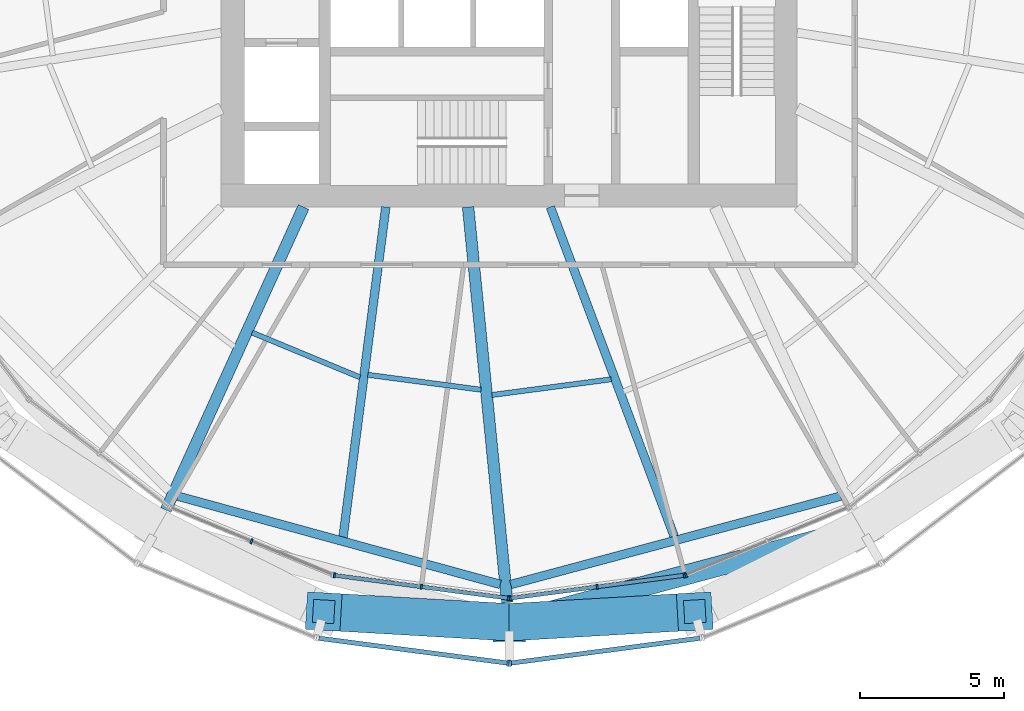
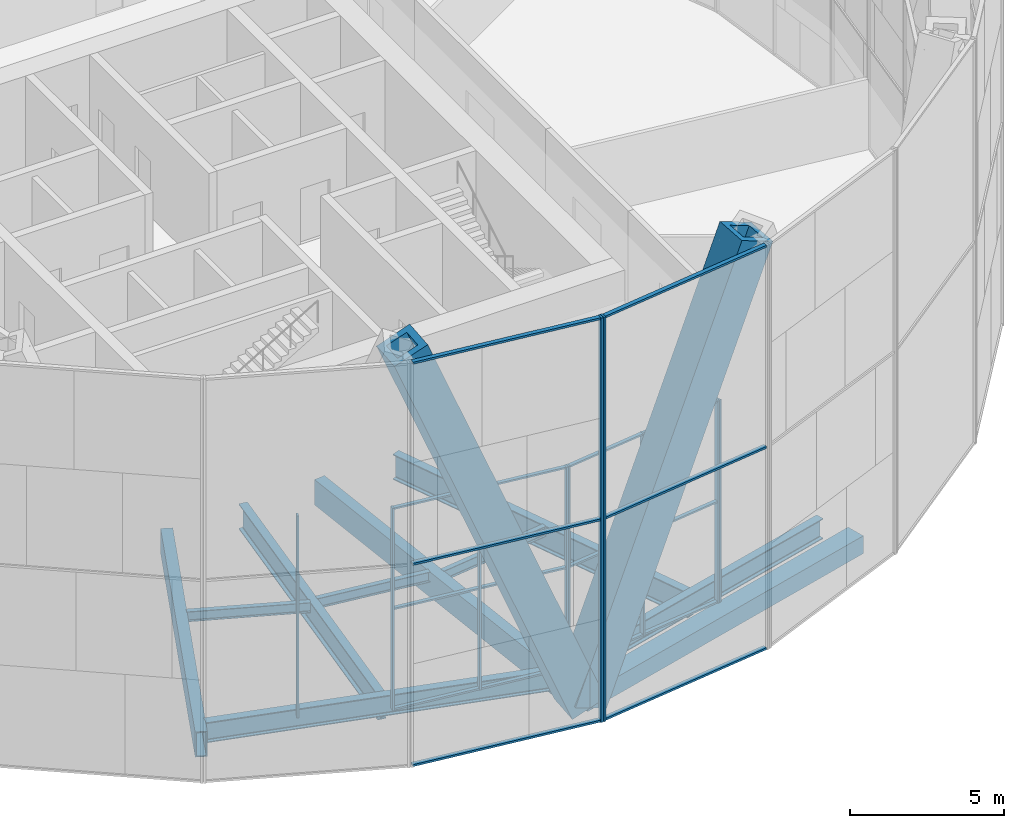
# One storey, part 2 of 22: 30 members, 10 beams, 6 elements without a shape of their own.
"""IFC4 building model written with IfcOpenShell, lengths in metres."""

from ifc_helpers import new_model, si_unit, direction, frame, origin, origin_2d, place, context, subcontext, project, spatial, rectangle, hollow_rectangle, i_section, extrude, material, material_profile, profile_set, type_object, element, aggregate, save


model = new_model("IFC4")

# Units and contexts
model_context = context("Model", 3, precision=1e-05, world=origin(), true_north=direction((0.0, 1.0)))
body_context = subcontext(model_context, "Body", "Model", "MODEL_VIEW")
ifc_project = project(units=[si_unit("LENGTHUNIT", "METRE"), si_unit("AREAUNIT", "SQUARE_METRE"), si_unit("VOLUMEUNIT", "CUBIC_METRE"), si_unit("PLANEANGLEUNIT", "RADIAN"), si_unit("MASSUNIT", "GRAM", prefix="KILO")], contexts=[model_context])

# Site, building, storey
site_placement = place(None, origin())
site = spatial("IfcSite", under=ifc_project, at=site_placement, CompositionType="ELEMENT")
building_placement = place(site_placement, origin())
building = spatial("IfcBuilding", under=site, at=building_placement, Name="Golbaran Civic Tower", CompositionType="ELEMENT")
storey_placement = place(building_placement, frame((0.0, 0.0, 53.0)))
storey = spatial("IfcBuildingStorey", under=building, at=storey_placement, Name="L12", CompositionType="ELEMENT", Elevation=53.0)

# Members
ifc_material_1 = material(Name="Steel S355", Category="steel")
ifc_material_profile_1 = material_profile(ifc_material_1, hollow_rectangle(XDim=1.300048828125, YDim=1.300048828125, WallThickness=0.25, at=origin_2d()), Name="BOX 1300x1300x250")
ifc_profile_set_1 = profile_set([ifc_material_profile_1], Name="Steel S355")
member_type_1 = type_object("IfcMemberType", Name="DIAGRID DIAGONAL BOX 1300x1300x250", PredefinedType="BRACE", material=ifc_profile_set_1)
for number, where, z_axis, x_axis, name in (
    (1, (0.0, -24.416015625, -0.7099609375), (0.373420671031, 0.021622964428, 0.927410076426), (-0.05780827387, 0.998327703448, 0.0), "Diagonal D02-09R L12-L16"),
    (2, (0.0, -24.416015625, -0.7099609375), (-0.373420671031, 0.021622964428, 0.927410076426), (-0.05780827387, -0.998327703448, 0.0), "Diagonal D02-09L L12-L16"),
):
    element("IfcMember", number, at=place(storey_placement, frame(where, z_axis=z_axis, x_axis=x_axis)), inside=storey, type_object=member_type_1, Name=name, PredefinedType="BRACE", context=body_context, shape_type="SweptSolid", body=[
        extrude(hollow_rectangle(XDim=1.300048828125, YDim=1.300048828125, WallThickness=0.25, at=origin_2d()), origin(), (0.0, 0.0, 1.0), 17.25244140625),
    ])

# Beams
ifc_material_profile_2 = material_profile(ifc_material_1, hollow_rectangle(XDim=0.699951171875, YDim=0.699951171875, WallThickness=0.080078125, at=origin_2d()), Name="BOX 700x700x80")
ifc_profile_set_2 = profile_set([ifc_material_profile_2], Name="Steel S355")
beam_type_1 = type_object("IfcBeamType", Name="DIAGRID RING TIE BOX 700x700x80", PredefinedType="BEAM", material=ifc_profile_set_2)
beam_1_placement = place(storey_placement, frame((0.0, -24.416015625, -0.7099609375), z_axis=(0.965923563363, 0.258827490311, 0.0), x_axis=(-0.258827490311, 0.965923563363, 0.0)))
element("IfcBeam", 3, at=beam_1_placement, inside=storey, type_object=beam_type_1, Name="Ring tie 270.00 L12", PredefinedType="BEAM", context=body_context, shape_type="SweptSolid", body=[
    extrude(hollow_rectangle(XDim=0.699951171875, YDim=0.699951171875, WallThickness=0.080078125, at=origin_2d()), origin(), (0.0, 0.0, 1.0), 12.638671875),
])
ifc_material_profile_3 = material_profile(ifc_material_1, i_section(OverallWidth=0.300048828125, OverallDepth=0.800048828125, WebThickness=0.017578125, FlangeThickness=0.032958984375, FilletRadius=0.030029296875, at=origin_2d()), Name="HEB 800")
ifc_profile_set_3 = profile_set([ifc_material_profile_3], Name="Steel S355")
beam_type_2 = type_object("IfcBeamType", Name="EDGE BEAM HEB 800", PredefinedType="BEAM", material=ifc_profile_set_3)
beam_2_placement = place(storey_placement, frame((-11.507080078125, -20.03759765625, -0.60009765625), z_axis=(0.964523164737, -0.263998228565, 0.0), x_axis=(0.263998228565, 0.964523164737, 0.0)))
element("IfcBeam", 4, at=beam_2_placement, inside=storey, type_object=beam_type_2, Name="Edge beam 240.00 L12", PredefinedType="BEAM", context=body_context, shape_type="SweptSolid", body=[
    extrude(i_section(OverallWidth=0.300048828125, OverallDepth=0.800048828125, WebThickness=0.017578125, FlangeThickness=0.032958984375, FilletRadius=0.030029296875, at=origin_2d()), origin(), (0.0, 0.0, 1.0), 11.60791015625),
])
beam_3_placement = place(storey_placement, frame((0.051025390625, -23.105712890625, -0.60009765625), z_axis=(0.96593978228, 0.258766955016, 0.0), x_axis=(-0.258766955016, 0.96593978228, 0.0)))
element("IfcBeam", 5, at=beam_3_placement, inside=storey, type_object=beam_type_2, Name="Edge beam 270.00 L12", PredefinedType="BEAM", context=body_context, shape_type="SweptSolid", body=[
    extrude(i_section(OverallWidth=0.300048828125, OverallDepth=0.800048828125, WebThickness=0.017578125, FlangeThickness=0.032958984375, FilletRadius=0.030029296875, at=origin_2d()), origin(), (0.0, 0.0, 1.0), 11.859619140625),
])
ifc_material_profile_4 = material_profile(ifc_material_1, i_section(OverallWidth=0.179931640625, OverallDepth=0.39990234375, WebThickness=0.008544921875, FlangeThickness=0.013427734375, FilletRadius=0.02099609375, at=origin_2d()), Name="IPE 400")
ifc_profile_set_4 = profile_set([ifc_material_profile_4], Name="Steel S355")
beam_type_3 = type_object("IfcBeamType", Name="FLOOR INFILL BEAM IPE 400", PredefinedType="BEAM", material=ifc_profile_set_4)
beam_4_placement = place(storey_placement, frame((-8.9267578125, -14.35986328125, -0.39990234375), z_axis=(0.923875132525, -0.3826940547, 0.0), x_axis=(0.3826940547, 0.923875132525, 0.0)))
element("IfcBeam", 6, at=beam_4_placement, inside=storey, type_object=beam_type_3, Name="Infill beam 247.50 L12", PredefinedType="BEAM", context=body_context, shape_type="SweptSolid", body=[
    extrude(i_section(OverallWidth=0.179931640625, OverallDepth=0.39990234375, WebThickness=0.008544921875, FlangeThickness=0.013427734375, FilletRadius=0.02099609375, at=origin_2d()), origin(), (0.0, 0.0, 1.0), 4.052978515625),
])
beam_5_placement = place(storey_placement, frame((-4.908935546875, -15.82470703125, -0.39990234375), z_axis=(0.991446113601, -0.130516680254, 0.0), x_axis=(0.130516680254, 0.991446113601, 0.0)))
element("IfcBeam", 7, at=beam_5_placement, inside=storey, type_object=beam_type_3, Name="Infill beam 262.50 L12", PredefinedType="BEAM", context=body_context, shape_type="SweptSolid", body=[
    extrude(i_section(OverallWidth=0.179931640625, OverallDepth=0.39990234375, WebThickness=0.008544921875, FlangeThickness=0.013427734375, FilletRadius=0.02099609375, at=origin_2d()), origin(), (0.0, 0.0, 1.0), 3.9619140625),
])
beam_6_placement = place(storey_placement, frame((-0.60107421875, -16.525146484375, -0.39990234375), z_axis=(0.991447129366, 0.130508963951, 0.0), x_axis=(-0.130508963951, 0.991447129366, 0.0)))
element("IfcBeam", 8, at=beam_6_placement, inside=storey, type_object=beam_type_3, Name="Infill beam 277.50 L12", PredefinedType="BEAM", context=body_context, shape_type="SweptSolid", body=[
    extrude(i_section(OverallWidth=0.179931640625, OverallDepth=0.39990234375, WebThickness=0.008544921875, FlangeThickness=0.013427734375, FilletRadius=0.02099609375, at=origin_2d()), origin(), (0.0, 0.0, 1.0), 4.17529296875),
])

# Curtain wall, member
ifc_material_2 = material(Name="Aluminium and glass", Category="aluminium")
curtain_wall_type_1 = type_object("IfcCurtainWallType", Name="INNER SKIN CURTAIN WALL", PredefinedType="NOTDEFINED", material=ifc_material_2)
curtain_wall_1_placement = place(storey_placement, origin())
curtain_wall_1 = element("IfcCurtainWall", 9, at=curtain_wall_1_placement, inside=storey, type_object=curtain_wall_type_1, Name="Inner skin L12 facet 17 CW1", ObjectType="INNER SKIN", PredefinedType="USERDEFINED")
ifc_material_3 = material(Name="Aluminium", Category="aluminium")
ifc_material_profile_5 = material_profile(ifc_material_3, rectangle(XDim=0.179931640625, YDim=0.06494140625, at=origin_2d()), Name="INNER SKIN CURTAIN WALL MULLION")
ifc_profile_set_5 = profile_set([ifc_material_profile_5], Name="Aluminium")
member_type_2 = type_object("IfcMemberType", Name="INNER SKIN CURTAIN WALL MULLION", PredefinedType="MULLION", material=ifc_profile_set_5)
member_1_placement = place(storey_placement, frame((-8.948486328125, -21.603271484375, 0.0), z_axis=(0.0, 0.0, 1.0), x_axis=(0.382683432413, 0.923879532491, 0.0)))
member_1 = element("IfcMember", 10, at=member_1_placement, type_object=member_type_2, Name="CW1 mullion 2", PredefinedType="MULLION", context=body_context, shape_type="SweptSolid", body=[
    extrude(rectangle(XDim=0.179931640625, YDim=0.06494140625, at=origin_2d()), origin(), (0.0, 0.0, 1.0), 8.0),
])
aggregate(curtain_wall_1, [member_1])

# Curtain wall, members
curtain_wall_2_placement = place(storey_placement, origin())
curtain_wall_2 = element("IfcCurtainWall", 11, at=curtain_wall_2_placement, inside=storey, type_object=curtain_wall_type_1, Name="Inner skin L12 facet 18 CW1", ObjectType="INNER SKIN", PredefinedType="USERDEFINED")
member_2_placement = place(storey_placement, frame((-6.072021484375, -22.78564453125, 0.0), z_axis=(0.0, 0.0, 1.0), x_axis=(0.13052619222, 0.991444861374, 0.0)))
member_2 = element("IfcMember", 12, at=member_2_placement, type_object=member_type_2, Name="CW1 mullion 1", PredefinedType="MULLION", context=body_context, shape_type="SweptSolid", body=[
    extrude(rectangle(XDim=0.179931640625, YDim=0.06494140625, at=origin_2d()), origin(), (0.0, 0.0, 1.0), 8.0),
])
member_3_placement = place(storey_placement, frame((-3.052001953125, -23.18310546875, 0.0), z_axis=(0.0, 0.0, 1.0), x_axis=(0.13052619222, 0.991444861374, 0.0)))
member_3 = element("IfcMember", 13, at=member_3_placement, type_object=member_type_2, Name="CW1 mullion 2", PredefinedType="MULLION", context=body_context, shape_type="SweptSolid", body=[
    extrude(rectangle(XDim=0.179931640625, YDim=0.06494140625, at=origin_2d()), origin(), (0.0, 0.0, 1.0), 8.0),
])
member_4_placement = place(storey_placement, frame((-0.0322265625, -23.580810546875, 0.0), z_axis=(0.0, 0.0, 1.0), x_axis=(0.13052619222, 0.991444861374, 0.0)))
member_4 = element("IfcMember", 14, at=member_4_placement, type_object=member_type_2, Name="CW1 mullion 3", PredefinedType="MULLION", context=body_context, shape_type="SweptSolid", body=[
    extrude(rectangle(XDim=0.179931640625, YDim=0.06494140625, at=origin_2d()), origin(), (0.0, 0.0, 1.0), 8.0),
])

curtain_wall_3_placement = place(storey_placement, origin())
curtain_wall_3 = element("IfcCurtainWall", 15, at=curtain_wall_3_placement, inside=storey, type_object=curtain_wall_type_1, Name="Inner skin L12 facet 19 CW1", ObjectType="INNER SKIN", PredefinedType="USERDEFINED")
member_5_placement = place(storey_placement, frame((0.0322265625, -23.580810546875, 0.0), z_axis=(0.0, 0.0, 1.0), x_axis=(-0.13052619222, 0.991444861374, 0.0)))
member_5 = element("IfcMember", 16, at=member_5_placement, type_object=member_type_2, Name="CW1 mullion 1", PredefinedType="MULLION", context=body_context, shape_type="SweptSolid", body=[
    extrude(rectangle(XDim=0.179931640625, YDim=0.06494140625, at=origin_2d()), origin(), (0.0, 0.0, 1.0), 8.0),
])
member_6_placement = place(storey_placement, frame((3.052001953125, -23.18310546875, 0.0), z_axis=(0.0, 0.0, 1.0), x_axis=(-0.13052619222, 0.991444861374, 0.0)))
member_6 = element("IfcMember", 17, at=member_6_placement, type_object=member_type_2, Name="CW1 mullion 2", PredefinedType="MULLION", context=body_context, shape_type="SweptSolid", body=[
    extrude(rectangle(XDim=0.179931640625, YDim=0.06494140625, at=origin_2d()), origin(), (0.0, 0.0, 1.0), 8.0),
])
member_7_placement = place(storey_placement, frame((6.072021484375, -22.78564453125, 0.0), z_axis=(0.0, 0.0, 1.0), x_axis=(-0.13052619222, 0.991444861374, 0.0)))
member_7 = element("IfcMember", 18, at=member_7_placement, type_object=member_type_2, Name="CW1 mullion 3", PredefinedType="MULLION", context=body_context, shape_type="SweptSolid", body=[
    extrude(rectangle(XDim=0.179931640625, YDim=0.06494140625, at=origin_2d()), origin(), (0.0, 0.0, 1.0), 8.0),
])

# Curtain wall, member
curtain_wall_4_placement = place(storey_placement, origin())
curtain_wall_4 = element("IfcCurtainWall", 19, at=curtain_wall_4_placement, inside=storey, type_object=curtain_wall_type_1, Name="Inner skin L12 facet 20 CW1", ObjectType="INNER SKIN", PredefinedType="USERDEFINED")
member_8_placement = place(storey_placement, frame((6.13427734375, -22.76904296875, 0.0), z_axis=(0.0, 0.0, 1.0), x_axis=(-0.382683432413, 0.923879532491, 0.0)))
member_8 = element("IfcMember", 20, at=member_8_placement, type_object=member_type_2, Name="CW1 mullion 1", PredefinedType="MULLION", context=body_context, shape_type="SweptSolid", body=[
    extrude(rectangle(XDim=0.179931640625, YDim=0.06494140625, at=origin_2d()), origin(), (0.0, 0.0, 1.0), 8.0),
])
aggregate(curtain_wall_4, [member_8])

# Member
ifc_material_profile_6 = material_profile(ifc_material_3, rectangle(XDim=0.139892578125, YDim=0.06494140625, at=origin_2d()), Name="INNER SKIN CURTAIN WALL TRANSOM")
ifc_profile_set_6 = profile_set([ifc_material_profile_6], Name="Aluminium")
member_type_3 = type_object("IfcMemberType", Name="INNER SKIN CURTAIN WALL TRANSOM", PredefinedType="USERDEFINED", material=ifc_profile_set_6)
member_9_placement = place(storey_placement, frame((-6.039794921875, -22.789794921875, 0.032470703125), z_axis=(0.991442584044, -0.130543489093, 0.0), x_axis=(0.130543489093, 0.991442584044, 0.0)))
member_9 = element("IfcMember", 21, at=member_9_placement, type_object=member_type_3, Name="CW1 transom 1.1", ObjectType="TRANSOM", PredefinedType="USERDEFINED", context=body_context, shape_type="SweptSolid", body=[
    extrude(rectangle(XDim=0.139892578125, YDim=0.06494140625, at=origin_2d()), origin(), (0.0, 0.0, 1.0), 2.98095703125),
])

member_10_placement = place(storey_placement, frame((-6.039794921875, -22.789794921875, 4.0), z_axis=(0.991442584044, -0.130543489093, 0.0), x_axis=(0.130543489093, 0.991442584044, 0.0)))
member_10 = element("IfcMember", 22, at=member_10_placement, type_object=member_type_3, Name="CW1 transom 1.2", ObjectType="TRANSOM", PredefinedType="USERDEFINED", context=body_context, shape_type="SweptSolid", body=[
    extrude(rectangle(XDim=0.139892578125, YDim=0.06494140625, at=origin_2d()), origin(), (0.0, 0.0, 1.0), 2.98095703125),
])

member_11_placement = place(storey_placement, frame((-6.039794921875, -22.789794921875, 7.967529296875), z_axis=(0.991442584044, -0.130543489093, 0.0), x_axis=(0.130543489093, 0.991442584044, 0.0)))
member_11 = element("IfcMember", 23, at=member_11_placement, type_object=member_type_3, Name="CW1 transom 1.3", ObjectType="TRANSOM", PredefinedType="USERDEFINED", context=body_context, shape_type="SweptSolid", body=[
    extrude(rectangle(XDim=0.139892578125, YDim=0.06494140625, at=origin_2d()), origin(), (0.0, 0.0, 1.0), 2.98095703125),
])

member_12_placement = place(storey_placement, frame((-3.02001953125, -23.1875, 0.032470703125), z_axis=(0.991453180494, -0.130462986662, 0.0), x_axis=(0.130462986662, 0.991453180494, 0.0)))
member_12 = element("IfcMember", 24, at=member_12_placement, type_object=member_type_3, Name="CW1 transom 2.1", ObjectType="TRANSOM", PredefinedType="USERDEFINED", context=body_context, shape_type="SweptSolid", body=[
    extrude(rectangle(XDim=0.139892578125, YDim=0.06494140625, at=origin_2d()), origin(), (0.0, 0.0, 1.0), 2.98095703125),
])

member_13_placement = place(storey_placement, frame((-3.02001953125, -23.1875, 4.0), z_axis=(0.991453180494, -0.130462986662, 0.0), x_axis=(0.130462986662, 0.991453180494, 0.0)))
member_13 = element("IfcMember", 25, at=member_13_placement, type_object=member_type_3, Name="CW1 transom 2.2", ObjectType="TRANSOM", PredefinedType="USERDEFINED", context=body_context, shape_type="SweptSolid", body=[
    extrude(rectangle(XDim=0.139892578125, YDim=0.06494140625, at=origin_2d()), origin(), (0.0, 0.0, 1.0), 2.98095703125),
])

member_14_placement = place(storey_placement, frame((-3.02001953125, -23.1875, 7.967529296875), z_axis=(0.991453180494, -0.130462986662, 0.0), x_axis=(0.130462986662, 0.991453180494, 0.0)))
member_14 = element("IfcMember", 26, at=member_14_placement, type_object=member_type_3, Name="CW1 transom 2.3", ObjectType="TRANSOM", PredefinedType="USERDEFINED", context=body_context, shape_type="SweptSolid", body=[
    extrude(rectangle(XDim=0.139892578125, YDim=0.06494140625, at=origin_2d()), origin(), (0.0, 0.0, 1.0), 2.98095703125),
])

aggregate(curtain_wall_2, [member_2, member_3, member_4, member_9, member_10, member_11, member_12, member_13, member_14])

member_15_placement = place(storey_placement, frame((0.064453125, -23.576416015625, 0.032470703125), z_axis=(0.991453180494, 0.130462986662, 0.0), x_axis=(-0.130462986662, 0.991453180494, 0.0)))
member_15 = element("IfcMember", 27, at=member_15_placement, type_object=member_type_3, Name="CW1 transom 1.1", ObjectType="TRANSOM", PredefinedType="USERDEFINED", context=body_context, shape_type="SweptSolid", body=[
    extrude(rectangle(XDim=0.139892578125, YDim=0.06494140625, at=origin_2d()), origin(), (0.0, 0.0, 1.0), 2.98095703125),
])

member_16_placement = place(storey_placement, frame((0.064453125, -23.576416015625, 4.0), z_axis=(0.991453180494, 0.130462986662, 0.0), x_axis=(-0.130462986662, 0.991453180494, 0.0)))
member_16 = element("IfcMember", 28, at=member_16_placement, type_object=member_type_3, Name="CW1 transom 1.2", ObjectType="TRANSOM", PredefinedType="USERDEFINED", context=body_context, shape_type="SweptSolid", body=[
    extrude(rectangle(XDim=0.139892578125, YDim=0.06494140625, at=origin_2d()), origin(), (0.0, 0.0, 1.0), 2.98095703125),
])

member_17_placement = place(storey_placement, frame((0.064453125, -23.576416015625, 7.967529296875), z_axis=(0.991453180494, 0.130462986662, 0.0), x_axis=(-0.130462986662, 0.991453180494, 0.0)))
member_17 = element("IfcMember", 29, at=member_17_placement, type_object=member_type_3, Name="CW1 transom 1.3", ObjectType="TRANSOM", PredefinedType="USERDEFINED", context=body_context, shape_type="SweptSolid", body=[
    extrude(rectangle(XDim=0.139892578125, YDim=0.06494140625, at=origin_2d()), origin(), (0.0, 0.0, 1.0), 2.98095703125),
])

member_18_placement = place(storey_placement, frame((3.084228515625, -23.178955078125, 0.032470703125), z_axis=(0.991442584044, 0.130543489093, 0.0), x_axis=(-0.130543489093, 0.991442584044, 0.0)))
member_18 = element("IfcMember", 30, at=member_18_placement, type_object=member_type_3, Name="CW1 transom 2.1", ObjectType="TRANSOM", PredefinedType="USERDEFINED", context=body_context, shape_type="SweptSolid", body=[
    extrude(rectangle(XDim=0.139892578125, YDim=0.06494140625, at=origin_2d()), origin(), (0.0, 0.0, 1.0), 2.98095703125),
])

member_19_placement = place(storey_placement, frame((3.084228515625, -23.178955078125, 4.0), z_axis=(0.991442584044, 0.130543489093, 0.0), x_axis=(-0.130543489093, 0.991442584044, 0.0)))
member_19 = element("IfcMember", 31, at=member_19_placement, type_object=member_type_3, Name="CW1 transom 2.2", ObjectType="TRANSOM", PredefinedType="USERDEFINED", context=body_context, shape_type="SweptSolid", body=[
    extrude(rectangle(XDim=0.139892578125, YDim=0.06494140625, at=origin_2d()), origin(), (0.0, 0.0, 1.0), 2.98095703125),
])

member_20_placement = place(storey_placement, frame((3.084228515625, -23.178955078125, 7.967529296875), z_axis=(0.991442584044, 0.130543489093, 0.0), x_axis=(-0.130543489093, 0.991442584044, 0.0)))
member_20 = element("IfcMember", 32, at=member_20_placement, type_object=member_type_3, Name="CW1 transom 2.3", ObjectType="TRANSOM", PredefinedType="USERDEFINED", context=body_context, shape_type="SweptSolid", body=[
    extrude(rectangle(XDim=0.139892578125, YDim=0.06494140625, at=origin_2d()), origin(), (0.0, 0.0, 1.0), 2.98095703125),
])

aggregate(curtain_wall_3, [member_5, member_6, member_7, member_15, member_16, member_17, member_18, member_19, member_20])

# Curtain wall, member
curtain_wall_type_2 = type_object("IfcCurtainWallType", Name="OUTER SKIN TERRACOTTA SCREEN", PredefinedType="NOTDEFINED", material=ifc_material_2)
curtain_wall_5_placement = place(storey_placement, origin())
curtain_wall_5 = element("IfcCurtainWall", 33, at=curtain_wall_5_placement, inside=storey, type_object=curtain_wall_type_2, Name="Outer skin L12 facet 18 CW3", ObjectType="OUTER SKIN", PredefinedType="USERDEFINED")
ifc_material_profile_7 = material_profile(ifc_material_3, rectangle(XDim=0.219970703125, YDim=0.080078125, at=origin_2d()), Name="OUTER SKIN TERRACOTTA SCREEN MULLION")
ifc_profile_set_7 = profile_set([ifc_material_profile_7], Name="Aluminium")
member_type_4 = type_object("IfcMemberType", Name="OUTER SKIN TERRACOTTA SCREEN MULLION", PredefinedType="MULLION", material=ifc_profile_set_7)
member_21_placement = place(storey_placement, frame((-0.03955078125, -25.835693359375, -0.7099609375), z_axis=(0.0, 0.0, 1.0), x_axis=(0.130526192255, 0.991444861369, 0.0)))
member_21 = element("IfcMember", 34, at=member_21_placement, type_object=member_type_4, Name="CW3 mullion 2", PredefinedType="MULLION", context=body_context, shape_type="SweptSolid", body=[
    extrude(rectangle(XDim=0.219970703125, YDim=0.080078125, at=origin_2d()), origin(), (0.0, 0.0, 1.0), 16.0),
])

curtain_wall_6_placement = place(storey_placement, origin())
curtain_wall_6 = element("IfcCurtainWall", 35, at=curtain_wall_6_placement, inside=storey, type_object=curtain_wall_type_2, Name="Outer skin L12 facet 19 CW3", ObjectType="OUTER SKIN", PredefinedType="USERDEFINED")
member_22_placement = place(storey_placement, frame((0.03955078125, -25.835693359375, -0.7099609375), z_axis=(0.0, 0.0, 1.0), x_axis=(-0.130526192255, 0.991444861369, 0.0)))
member_22 = element("IfcMember", 36, at=member_22_placement, type_object=member_type_4, Name="CW3 mullion 1", PredefinedType="MULLION", context=body_context, shape_type="SweptSolid", body=[
    extrude(rectangle(XDim=0.219970703125, YDim=0.080078125, at=origin_2d()), origin(), (0.0, 0.0, 1.0), 16.0),
])

# Member
ifc_material_profile_8 = material_profile(ifc_material_3, rectangle(XDim=0.159912109375, YDim=0.080078125, at=origin_2d()), Name="OUTER SKIN TERRACOTTA SCREEN TRANSOM")
ifc_profile_set_8 = profile_set([ifc_material_profile_8], Name="Aluminium")
member_type_5 = type_object("IfcMemberType", Name="OUTER SKIN TERRACOTTA SCREEN TRANSOM", PredefinedType="USERDEFINED", material=ifc_profile_set_8)
member_23_placement = place(storey_placement, frame((-6.60888671875, -24.970947265625, -0.669921875), z_axis=(0.991445082276, -0.13052451429, 0.0), x_axis=(0.13052451429, 0.991445082276, 0.0)))
member_23 = element("IfcMember", 37, at=member_23_placement, type_object=member_type_5, Name="CW3 transom 1.1", ObjectType="TRANSOM", PredefinedType="USERDEFINED", context=body_context, shape_type="SweptSolid", body=[
    extrude(rectangle(XDim=0.159912109375, YDim=0.080078125, at=origin_2d()), origin(), (0.0, 0.0, 1.0), 6.5859375),
])

member_24_placement = place(storey_placement, frame((-6.60888671875, -24.970947265625, 7.2900390625), z_axis=(0.991445082276, -0.13052451429, 0.0), x_axis=(0.13052451429, 0.991445082276, 0.0)))
member_24 = element("IfcMember", 38, at=member_24_placement, type_object=member_type_5, Name="CW3 transom 1.2", ObjectType="TRANSOM", PredefinedType="USERDEFINED", context=body_context, shape_type="SweptSolid", body=[
    extrude(rectangle(XDim=0.159912109375, YDim=0.080078125, at=origin_2d()), origin(), (0.0, 0.0, 1.0), 6.5859375),
])

member_25_placement = place(storey_placement, frame((-6.60888671875, -24.970947265625, 15.25), z_axis=(0.991445082276, -0.13052451429, 0.0), x_axis=(0.13052451429, 0.991445082276, 0.0)))
member_25 = element("IfcMember", 39, at=member_25_placement, type_object=member_type_5, Name="CW3 transom 1.3", ObjectType="TRANSOM", PredefinedType="USERDEFINED", context=body_context, shape_type="SweptSolid", body=[
    extrude(rectangle(XDim=0.159912109375, YDim=0.080078125, at=origin_2d()), origin(), (0.0, 0.0, 1.0), 6.5859375),
])

aggregate(curtain_wall_5, [member_21, member_23, member_24, member_25])

member_26_placement = place(storey_placement, frame((0.079345703125, -25.83056640625, -0.669921875), z_axis=(0.991445082276, 0.13052451429, 0.0), x_axis=(-0.13052451429, 0.991445082276, 0.0)))
member_26 = element("IfcMember", 40, at=member_26_placement, type_object=member_type_5, Name="CW3 transom 1.1", ObjectType="TRANSOM", PredefinedType="USERDEFINED", context=body_context, shape_type="SweptSolid", body=[
    extrude(rectangle(XDim=0.159912109375, YDim=0.080078125, at=origin_2d()), origin(), (0.0, 0.0, 1.0), 6.5859375),
])

member_27_placement = place(storey_placement, frame((0.079345703125, -25.83056640625, 7.2900390625), z_axis=(0.991445082276, 0.13052451429, 0.0), x_axis=(-0.13052451429, 0.991445082276, 0.0)))
member_27 = element("IfcMember", 41, at=member_27_placement, type_object=member_type_5, Name="CW3 transom 1.2", ObjectType="TRANSOM", PredefinedType="USERDEFINED", context=body_context, shape_type="SweptSolid", body=[
    extrude(rectangle(XDim=0.159912109375, YDim=0.080078125, at=origin_2d()), origin(), (0.0, 0.0, 1.0), 6.5859375),
])

member_28_placement = place(storey_placement, frame((0.079345703125, -25.83056640625, 15.25), z_axis=(0.991445082276, 0.13052451429, 0.0), x_axis=(-0.13052451429, 0.991445082276, 0.0)))
member_28 = element("IfcMember", 42, at=member_28_placement, type_object=member_type_5, Name="CW3 transom 1.3", ObjectType="TRANSOM", PredefinedType="USERDEFINED", context=body_context, shape_type="SweptSolid", body=[
    extrude(rectangle(XDim=0.159912109375, YDim=0.080078125, at=origin_2d()), origin(), (0.0, 0.0, 1.0), 6.5859375),
])

aggregate(curtain_wall_6, [member_22, member_26, member_27, member_28])

# Beams
ifc_material_profile_9 = material_profile(ifc_material_1, hollow_rectangle(XDim=0.39990234375, YDim=1.0, WallThickness=0.0400390625, at=origin_2d()), Name="BOX 1000x400x40")
ifc_profile_set_9 = profile_set([ifc_material_profile_9], Name="Steel S355")
beam_type_4 = type_object("IfcBeamType", Name="RADIAL FLOOR BEAM BOX 1000x400x40", PredefinedType="BEAM", material=ifc_profile_set_9)
beam_7_placement = place(storey_placement, frame((-7.142822265625, -10.0, -0.7099609375), z_axis=(-0.413761557067, -0.910385288707, 0.0), x_axis=(0.910385288707, -0.413761557067, 0.0)))
element("IfcBeam", 43, at=beam_7_placement, inside=storey, type_object=beam_type_4, Name="Radial beam 240.00 L12", PredefinedType="BEAM", context=body_context, shape_type="SweptSolid", body=[
    extrude(hollow_rectangle(XDim=0.39990234375, YDim=1.0, WallThickness=0.0400390625, at=origin_2d()), origin(), (0.0, 0.0, 1.0), 11.5556640625),
])
beam_8_placement = place(storey_placement, frame((-1.428466796875, -10.0, -0.7099609375), z_axis=(0.098612100441, -0.995125948635, 0.0), x_axis=(0.995125948635, 0.098612100441, 0.0)))
element("IfcBeam", 44, at=beam_8_placement, inside=storey, type_object=beam_type_4, Name="Radial beam 270.00 L12", PredefinedType="BEAM", context=body_context, shape_type="SweptSolid", body=[
    extrude(hollow_rectangle(XDim=0.39990234375, YDim=1.0, WallThickness=0.0400390625, at=origin_2d()), origin(), (0.0, 0.0, 1.0), 13.800048828125),
])
ifc_material_profile_10 = material_profile(ifc_material_1, i_section(OverallWidth=0.300048828125, OverallDepth=1.0, WebThickness=0.01904296875, FlangeThickness=0.035888671875, FilletRadius=0.030029296875, at=origin_2d()), Name="HEB 1000")
ifc_profile_set_10 = profile_set([ifc_material_profile_10], Name="Steel S355")
beam_type_5 = type_object("IfcBeamType", Name="SECONDARY FLOOR BEAM HEB 1000", PredefinedType="BEAM", material=ifc_profile_set_10)
beam_9_placement = place(storey_placement, frame((-4.28564453125, -10.0, -0.7099609375), z_axis=(-0.128458637029, -0.991714867577, 0.0), x_axis=(0.991714867577, -0.128458637029, 0.0)))
element("IfcBeam", 45, at=beam_9_placement, inside=storey, type_object=beam_type_5, Name="Secondary beam 255.00 L12", PredefinedType="BEAM", context=body_context, shape_type="SweptSolid", body=[
    extrude(i_section(OverallWidth=0.300048828125, OverallDepth=1.0, WebThickness=0.01904296875, FlangeThickness=0.035888671875, FilletRadius=0.030029296875, at=origin_2d()), origin(), (0.0, 0.0, 1.0), 11.69970703125),
])
beam_10_placement = place(storey_placement, frame((1.428466796875, -10.0, -0.7099609375), z_axis=(0.352004140627, -0.935998442831, 0.0), x_axis=(0.935998442831, 0.352004140627, 0.0)))
element("IfcBeam", 46, at=beam_10_placement, inside=storey, type_object=beam_type_5, Name="Secondary beam 285.00 L12", PredefinedType="BEAM", context=body_context, shape_type="SweptSolid", body=[
    extrude(i_section(OverallWidth=0.300048828125, OverallDepth=1.0, WebThickness=0.01904296875, FlangeThickness=0.035888671875, FilletRadius=0.030029296875, at=origin_2d()), origin(), (0.0, 0.0, 1.0), 12.3623046875),
])

save(model, "model.ifc")
